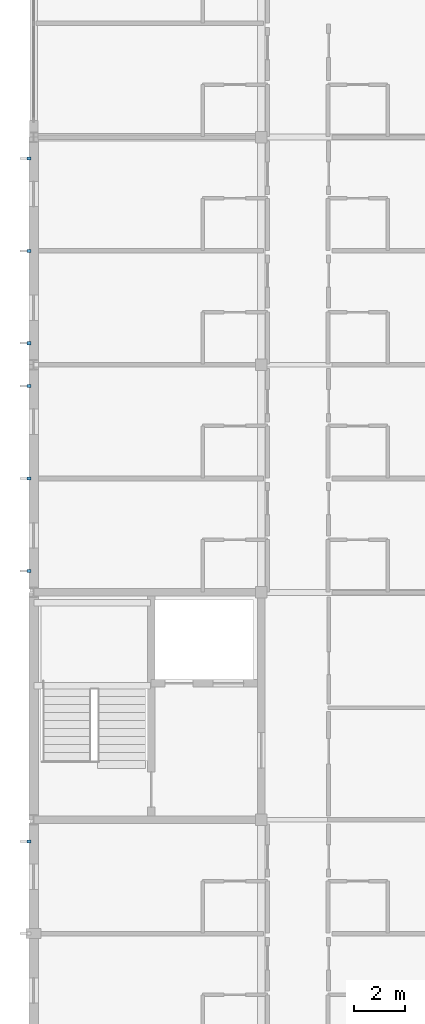
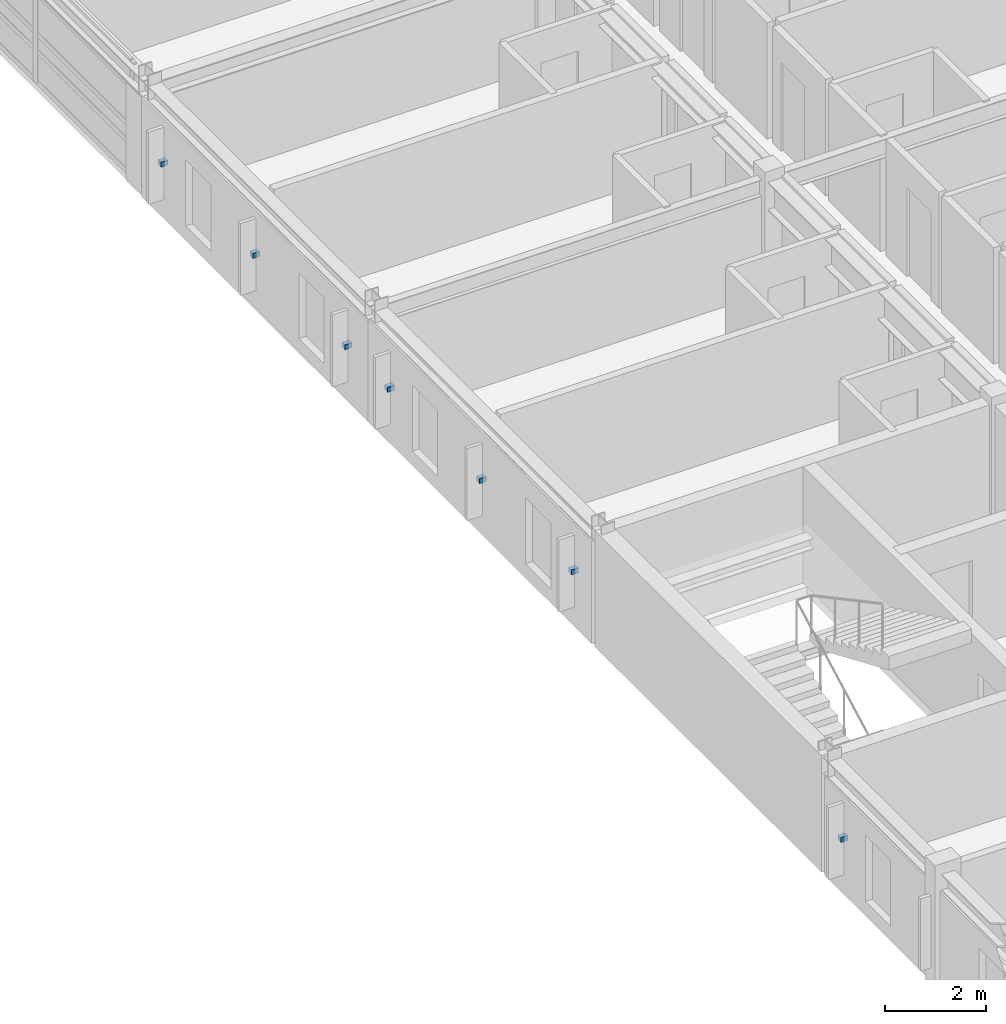
# One storey, part 20 of 24: 7 discrete accessories.
"""IFC4 building model written with IfcOpenShell, lengths in metres."""

from ifc_helpers import new_model, si_unit, direction, frame, origin, origin_2d, place, context, subcontext, project, spatial, rectangle, extrude, material, type_object, element, save


model = new_model("IFC4")

# Units and contexts
model_context = context("Model", 3, precision=1e-05, world=origin(), true_north=direction((0.0, 1.0)))
body_context = subcontext(model_context, "Body", "Model", "MODEL_VIEW")
ifc_project = project(units=[si_unit("LENGTHUNIT", "METRE"), si_unit("AREAUNIT", "SQUARE_METRE"), si_unit("VOLUMEUNIT", "CUBIC_METRE"), si_unit("PLANEANGLEUNIT", "RADIAN"), si_unit("MASSUNIT", "GRAM", prefix="KILO")], contexts=[model_context])

# Site, building, storey
site_placement = place(None, origin())
site = spatial("IfcSite", under=ifc_project, at=site_placement, CompositionType="ELEMENT")
building_placement = place(site_placement, origin())
building = spatial("IfcBuilding", under=site, at=building_placement, Name="Palais des Congres Ocreval", CompositionType="ELEMENT")
storey_placement = place(building_placement, frame((0.0, 0.0, 17.60009765625)))
storey = spatial("IfcBuildingStorey", under=building, at=storey_placement, Name="L05", CompositionType="ELEMENT", Elevation=17.60009765625)

# Discrete accessories
ifc_material = material(Name="Steel S355", Category="steel")
discrete_accessory_type = type_object("IfcDiscreteAccessoryType", Name="Stainless Brise-Soleil Fixing Bracket", PredefinedType="BRACKET", material=ifc_material)
for number, where, z_axis, x_axis, name in (
    (1, (-0.18994140625, 35.14990234375, 1.289794921875), (0.0, 0.0, 1.0), (-1.0, 0.0, 0.0), "Celosia Fixing Bracket BK01"),
    (2, (-0.18994140625, 45.85009765625, 1.289794921875), (0.0, 0.0, 1.0), (-1.0, 0.0, 0.0), "Celosia Fixing Bracket BK01"),
    (3, (-0.18994140625, 49.5, 1.289794921875), (0.0, 0.0, 1.0), (-1.0, 0.0, 0.0), "Celosia Fixing Bracket BK01"),
    (4, (-0.18994140625, 53.14990234375, 1.289794921875), (0.0, 0.0, 1.0), (-1.0, 0.0, 0.0), "Celosia Fixing Bracket BK01"),
    (5, (-0.18994140625, 54.85009765625, 1.289794921875), (0.0, 0.0, 1.0), (-1.0, 0.0, 0.0), "Celosia Fixing Bracket BK01"),
    (6, (-0.18994140625, 58.5, 1.289794921875), (0.0, 0.0, 1.0), (-1.0, 0.0, 0.0), "Celosia Fixing Bracket BK01"),
    (7, (-0.18994140625, 62.14990234375, 1.289794921875), (0.0, 0.0, 1.0), (-1.0, 0.0, 0.0), "Celosia Fixing Bracket BK01"),
):
    element("IfcDiscreteAccessory", number, at=place(storey_placement, frame(where, z_axis=z_axis, x_axis=x_axis)), inside=storey, type_object=discrete_accessory_type, Name=name, PredefinedType="BRACKET", context=body_context, shape_type="SweptSolid", body=[
        extrude(rectangle(XDim=0.159912109375, YDim=0.1201171875, at=origin_2d()), origin(), (0.0, 0.0, 1.0), 0.1201171875),
    ])

save(model, "model.ifc")
